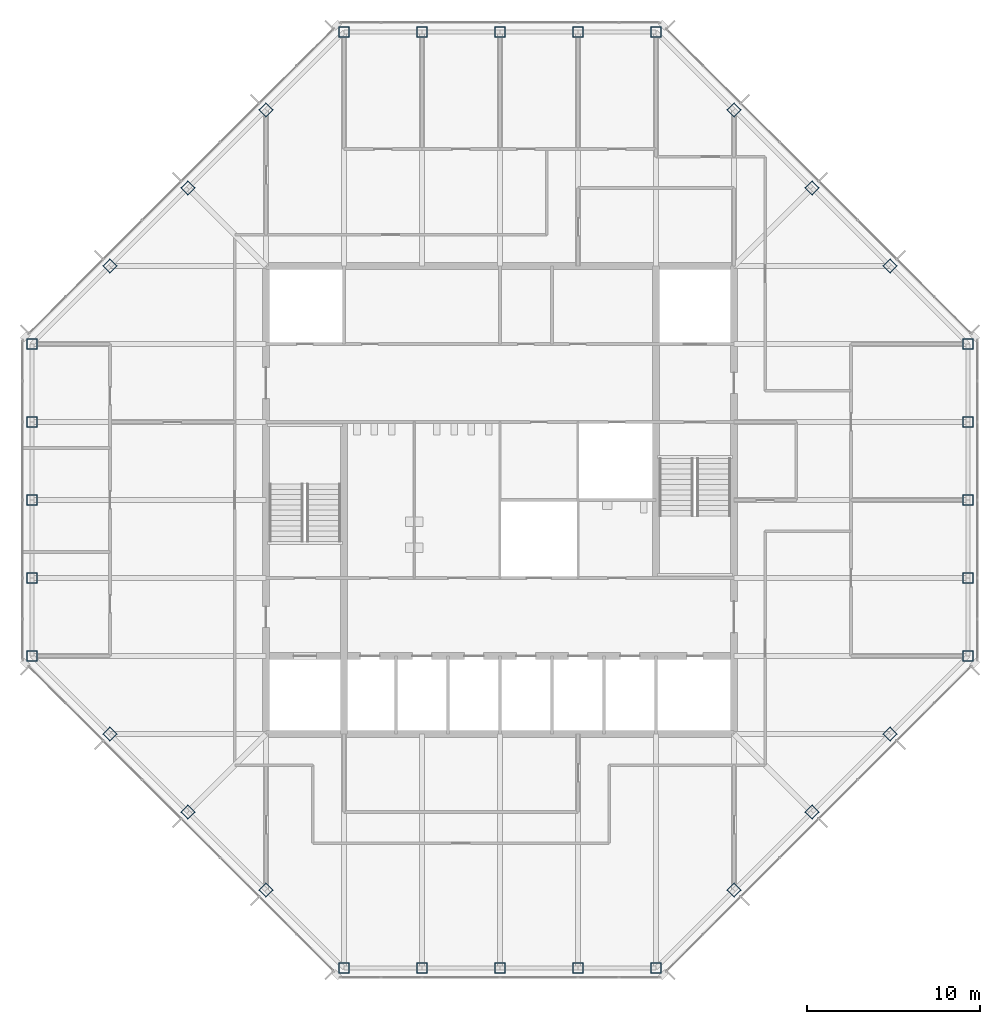
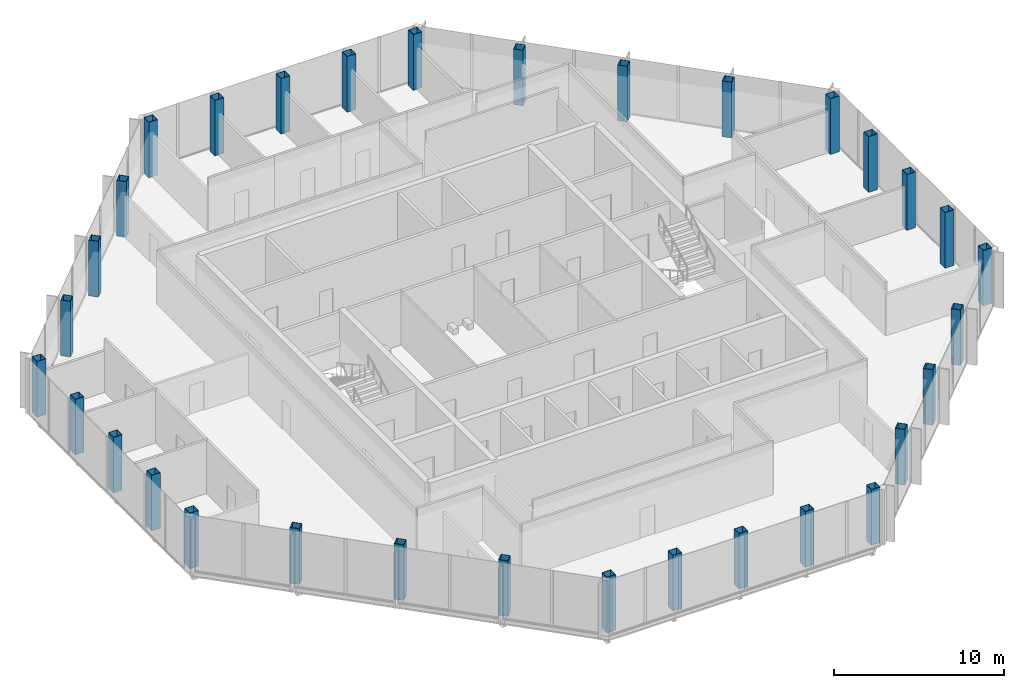
# One storey, part 1 of 14: 32 columns.
"""IFC4 building model written with IfcOpenShell, lengths in metres."""

from ifc_helpers import new_model, si_unit, direction, frame, origin, origin_2d, place, context, subcontext, project, spatial, hollow_rectangle, extrude, material, material_profile, profile_set, type_object, element, save


model = new_model("IFC4")

# Units and contexts
model_context = context("Model", 3, precision=1e-05, world=origin(), true_north=direction((0.0, 1.0)))
body_context = subcontext(model_context, "Body", "Model", "MODEL_VIEW")
ifc_project = project(units=[si_unit("LENGTHUNIT", "METRE"), si_unit("AREAUNIT", "SQUARE_METRE"), si_unit("VOLUMEUNIT", "CUBIC_METRE"), si_unit("PLANEANGLEUNIT", "RADIAN"), si_unit("MASSUNIT", "GRAM", prefix="KILO")], contexts=[model_context])

# Site, building, storey
site_placement = place(None, origin())
site = spatial("IfcSite", under=ifc_project, at=site_placement, CompositionType="ELEMENT")
building_placement = place(site_placement, origin())
building = spatial("IfcBuilding", under=site, at=building_placement, Name="Corais Broadcast Tower", CompositionType="ELEMENT")
storey_placement = place(building_placement, frame((0.0, 0.0, 286.60009765625)))
storey = spatial("IfcBuildingStorey", under=building, at=storey_placement, Name="L67", CompositionType="ELEMENT", Elevation=286.60009765625)

# Columns
ifc_material = material(Name="Steel ASTM A572 Grade 50", Category="steel")
ifc_material_profile = material_profile(ifc_material, hollow_rectangle(XDim=0.60009765625, YDim=0.60009765625, WallThickness=0.028076171875, at=origin_2d()), Name="BOX 600x600x28")
ifc_profile_set = profile_set([ifc_material_profile], Name="Steel ASTM A572 Grade 50")
column_type = type_object("IfcColumnType", Name="Column BOX 600x600x28", PredefinedType="COLUMN", material=ifc_profile_set)
for number, where, z_axis, x_axis, name in (
    (1, (18.0, 0.0, 0.0), (0.0, 0.0, 1.0), (1.0, 0.0, 0.0), "C7 A/7"),
    (2, (22.5, 0.0, 0.0), (0.0, 0.0, 1.0), (1.0, 0.0, 0.0), "C7 A/8"),
    (3, (27.0, 0.0, 0.0), (0.0, 0.0, 1.0), (1.0, 0.0, 0.0), "C7 A/9"),
    (4, (31.5, 0.0, 0.0), (0.0, 0.0, 1.0), (1.0, 0.0, 0.0), "C7 A/10"),
    (5, (36.0, 0.0, 0.0), (0.0, 0.0, 1.0), (1.0, 0.0, 0.0), "C7 A/11"),
    (6, (54.0, 18.0, 0.0), (0.0, 0.0, 1.0), (1.0, 0.0, 0.0), "C7 E/15"),
    (7, (54.0, 22.5, 0.0), (0.0, 0.0, 1.0), (1.0, 0.0, 0.0), "C7 F/15"),
    (8, (54.0, 27.0, 0.0), (0.0, 0.0, 1.0), (1.0, 0.0, 0.0), "C7 G/15"),
    (9, (54.0, 31.5, 0.0), (0.0, 0.0, 1.0), (1.0, 0.0, 0.0), "C7 H/15"),
    (10, (54.0, 36.0, 0.0), (0.0, 0.0, 1.0), (1.0, 0.0, 0.0), "C7 J/15"),
    (11, (36.0, 54.0, 0.0), (0.0, 0.0, 1.0), (1.0, 0.0, 0.0), "C7 N/11"),
    (12, (31.5, 54.0, 0.0), (0.0, 0.0, 1.0), (1.0, 0.0, 0.0), "C7 N/10"),
    (13, (27.0, 54.0, 0.0), (0.0, 0.0, 1.0), (1.0, 0.0, 0.0), "C7 N/9"),
    (14, (22.5, 54.0, 0.0), (0.0, 0.0, 1.0), (1.0, 0.0, 0.0), "C7 N/8"),
    (15, (18.0, 54.0, 0.0), (0.0, 0.0, 1.0), (1.0, 0.0, 0.0), "C7 N/7"),
    (16, (0.0, 36.0, 0.0), (0.0, 0.0, 1.0), (1.0, 0.0, 0.0), "C7 J/3"),
    (17, (0.0, 31.5, 0.0), (0.0, 0.0, 1.0), (1.0, 0.0, 0.0), "C7 H/3"),
    (18, (0.0, 27.0, 0.0), (0.0, 0.0, 1.0), (1.0, 0.0, 0.0), "C7 G/3"),
    (19, (0.0, 22.5, 0.0), (0.0, 0.0, 1.0), (1.0, 0.0, 0.0), "C7 F/3"),
    (20, (0.0, 18.0, 0.0), (0.0, 0.0, 1.0), (1.0, 0.0, 0.0), "C7 E/3"),
    (21, (13.5, 4.5, 0.0), (0.0, 0.0, 1.0), (0.707106781187, 0.707106781187, 0.0), "C7 B/6"),
    (22, (9.0, 9.0, 0.0), (0.0, 0.0, 1.0), (0.707106781187, 0.707106781187, 0.0), "C7 C/5"),
    (23, (4.5, 13.5, 0.0), (0.0, 0.0, 1.0), (0.707106781187, 0.707106781187, 0.0), "C7 D/4"),
    (24, (40.5, 4.5, 0.0), (0.0, 0.0, 1.0), (0.707106781187, 0.707106781187, 0.0), "C7 B/12"),
    (25, (45.0, 9.0, 0.0), (0.0, 0.0, 1.0), (0.707106781187, 0.707106781187, 0.0), "C7 C/13"),
    (26, (49.5, 13.5, 0.0), (0.0, 0.0, 1.0), (0.707106781187, 0.707106781187, 0.0), "C7 D/14"),
    (27, (49.5, 40.5, 0.0), (0.0, 0.0, 1.0), (0.707106781187, 0.707106781187, 0.0), "C7 K/14"),
    (28, (45.0, 45.0, 0.0), (0.0, 0.0, 1.0), (0.707106781187, 0.707106781187, 0.0), "C7 L/13"),
    (29, (40.5, 49.5, 0.0), (0.0, 0.0, 1.0), (0.707106781187, 0.707106781187, 0.0), "C7 M/12"),
    (30, (4.5, 40.5, 0.0), (0.0, 0.0, 1.0), (0.707106781187, 0.707106781187, 0.0), "C7 K/4"),
    (31, (9.0, 45.0, 0.0), (0.0, 0.0, 1.0), (0.707106781187, 0.707106781187, 0.0), "C7 L/5"),
    (32, (13.5, 49.5, 0.0), (0.0, 0.0, 1.0), (0.707106781187, 0.707106781187, 0.0), "C7 M/6"),
):
    element("IfcColumn", number, at=place(storey_placement, frame(where, z_axis=z_axis, x_axis=x_axis)), inside=storey, type_object=column_type, Name=name, PredefinedType="COLUMN", context=body_context, shape_type="SweptSolid", body=[
        extrude(hollow_rectangle(XDim=0.60009765625, YDim=0.60009765625, WallThickness=0.028076171875, at=origin_2d()), origin(), (0.0, 0.0, 1.0), 4.0),
    ])

save(model, "model.ifc")
